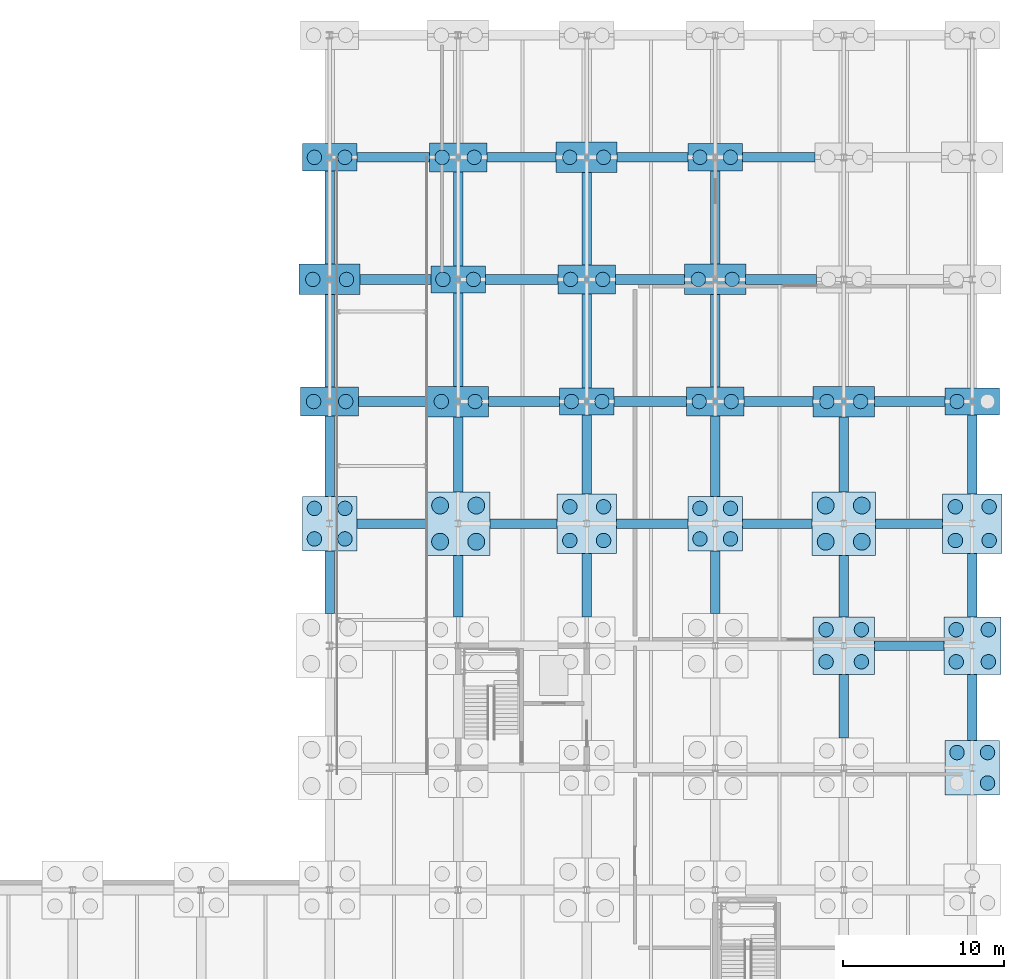
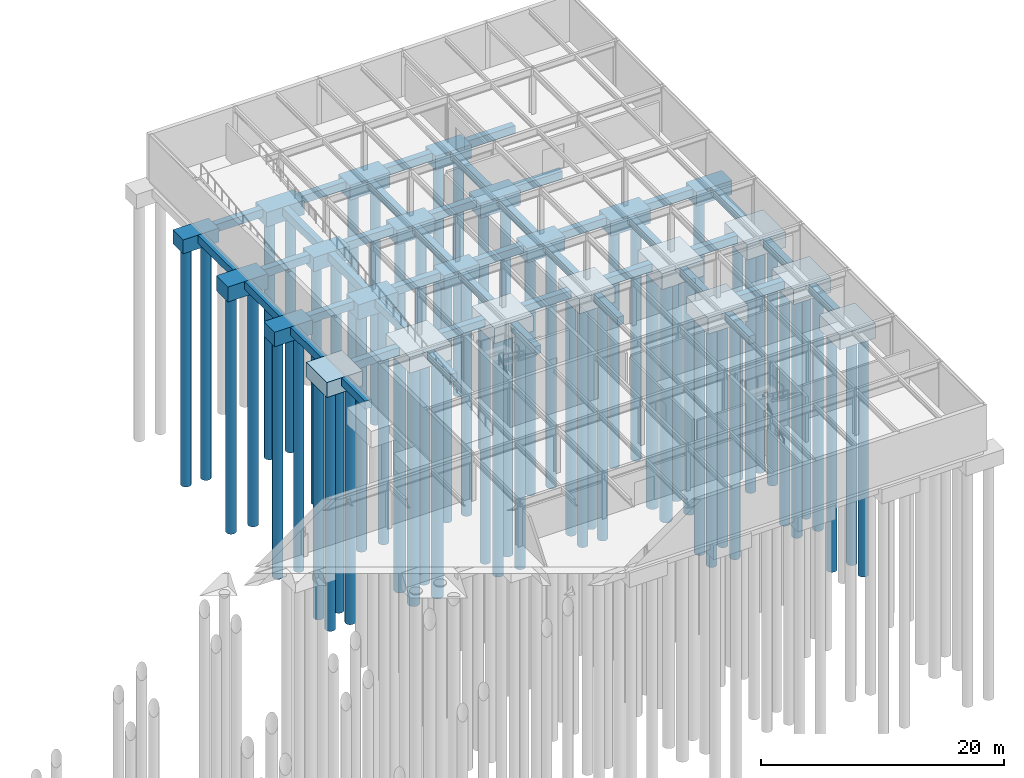
# One storey, part 3 of 21: 64 footings, 62 piles.
"""IFC4 building model written with IfcOpenShell, lengths in metres."""

import ifcopenshell
import ifcopenshell.guid

model = None  # the IFC model being written
_history = None  # IfcOwnerHistory: only IFC2X3 demands one
_inside = {}  # id of a spatial element -> (the spatial element, [elements in it])
_under = {}  # id of a project, library or spatial element -> (it, [spatial elements below it])
_declared = {}  # id of a project -> (the project, [libraries it declares])
_typed = {}  # id of a type object -> (the type object, [elements of that type])
_made_of = {}  # id of a material, layer set ... -> (it, [elements and type objects made of it])


def new_model(schema):
    """Start an empty IFC model of exactly this schema.

    Asked for "IFC4X3", IfcOpenShell would pick the latest addendum, in which some entities
    have other attributes; the version numbers below select the first issue.
    IFC2X3 requires an IfcOwnerHistory on every rooted entity: one is made here for all.
    """
    global model, _history
    if schema == "IFC4X3":
        model = ifcopenshell.file(schema_version=(4, 3, 0, 0))
    else:
        model = ifcopenshell.file(schema=schema)
    _inside.clear()
    _under.clear()
    _declared.clear()
    _typed.clear()
    _made_of.clear()
    _history = None
    if model.schema == "IFC2X3":
        org = make("IfcOrganization", Name="unknown")
        user = make(
            "IfcPersonAndOrganization",
            ThePerson=make("IfcPerson", FamilyName="unknown"),
            TheOrganization=org,
        )
        app = make(
            "IfcApplication",
            ApplicationDeveloper=org,
            Version="unknown",
            ApplicationFullName="unknown",
            ApplicationIdentifier="unknown",
        )
        _history = make(
            "IfcOwnerHistory",
            OwningUser=user,
            OwningApplication=app,
            ChangeAction="ADDED",
            CreationDate=0,
        )
    return model


def make(cls, **values):
    """One entity of the class cls with the attributes given. An attribute that is None is left unset."""
    return model.create_entity(
        cls, **{name: value for name, value in values.items() if value is not None}
    )


def rooted(cls, **values):
    """An entity with a GlobalId (a new one), such as an element, a storey or a relation."""
    return make(cls, GlobalId=ifcopenshell.guid.new(), OwnerHistory=_history, **values)


def si_unit(unit_type, name, prefix=None):
    """IfcSIUnit, for example si_unit("LENGTHUNIT", "METRE", prefix="MILLI")."""
    return make("IfcSIUnit", UnitType=unit_type, Prefix=prefix, Name=name)


def assignment(units):
    """IfcUnitAssignment: the units of a project."""
    return None if units is None else make("IfcUnitAssignment", Units=units)


def point(xyz):
    """IfcCartesianPoint."""
    return None if xyz is None else make("IfcCartesianPoint", Coordinates=xyz)


def direction(xyz):
    """IfcDirection."""
    return None if xyz is None else make("IfcDirection", DirectionRatios=xyz)


def frame(location, z_axis=None, x_axis=None):
    """IfcAxis2Placement3D, a coordinate frame: its origin and axes. An axis left out is left unset."""
    return make(
        "IfcAxis2Placement3D",
        Location=point(location),
        Axis=direction(z_axis),
        RefDirection=direction(x_axis),
    )


def frame_2d(location, x_axis=None):
    """IfcAxis2Placement2D, a coordinate frame in the plane: its origin and x axis."""
    return make(
        "IfcAxis2Placement2D", Location=point(location), RefDirection=direction(x_axis)
    )


def origin():
    """The frame at (0, 0, 0) with its axes left unset."""
    return frame((0.0, 0.0, 0.0))


def origin_2d():
    """The frame at (0, 0) in the plane with its x axis left unset."""
    return frame_2d((0.0, 0.0))


def place(relative_to, where):
    """IfcLocalPlacement: puts the frame where relative to a parent placement (None: the world)."""
    return make(
        "IfcLocalPlacement", PlacementRelTo=relative_to, RelativePlacement=where
    )


def context(
    kind, dimensions, precision=None, world=None, true_north=None, identifier=None
):
    """IfcGeometricRepresentationContext, for example the 3D "Model" context."""
    return make(
        "IfcGeometricRepresentationContext",
        ContextIdentifier=identifier,
        ContextType=kind,
        CoordinateSpaceDimension=dimensions,
        Precision=precision,
        WorldCoordinateSystem=world,
        TrueNorth=true_north,
    )


def subcontext(parent, identifier, kind, view, scale=None):
    """IfcGeometricRepresentationSubContext, for example "Body" below "Model"."""
    return make(
        "IfcGeometricRepresentationSubContext",
        ContextIdentifier=identifier,
        ContextType=kind,
        ParentContext=parent,
        TargetScale=scale,
        TargetView=view,
    )


def project(units=None, contexts=None):
    """IfcProject with its units and contexts."""
    return rooted(
        "IfcProject",
        Name="project",
        RepresentationContexts=contexts,
        UnitsInContext=assignment(units),
    )


def spatial(cls, under=None, at=None, **own):
    """A site, building, storey or space (cls), placed at a placement, below another one or the project."""
    s = rooted(cls, ObjectPlacement=at, **own)
    if under is not None:
        _under.setdefault(under.id(), (under, []))[1].append(s)
    return s


def profile(cls, at=None, kind="AREA", **sizes):
    """A parametric profile (cls). Its sizes go by their IFC names, for example OverallWidth=200.0."""
    return make(cls, ProfileType=kind, Position=at, **sizes)


def rectangle(**sizes):
    """IfcRectangleProfileDef."""
    return profile("IfcRectangleProfileDef", **sizes)


def circle(**sizes):
    """IfcCircleProfileDef."""
    return profile("IfcCircleProfileDef", **sizes)


def extrude(swept, where, along, depth):
    """IfcExtrudedAreaSolid: the profile swept, set in the frame where, extruded along a direction by depth."""
    return make(
        "IfcExtrudedAreaSolid",
        SweptArea=swept,
        Position=where,
        ExtrudedDirection=direction(along),
        Depth=depth,
    )


def shape(context_of_items, identifier, shape_type, items):
    """IfcShapeRepresentation: the items that make up one representation, for example the "Body"."""
    return make(
        "IfcShapeRepresentation",
        ContextOfItems=context_of_items,
        RepresentationIdentifier=identifier,
        RepresentationType=shape_type,
        Items=items,
    )


def material(Name=None, Category=None):
    """IfcMaterial."""
    return make("IfcMaterial", Name=Name, Category=Category)


def material_profile(
    of_material, cross_section, Name=None, Category=None, Priority=None
):
    """IfcMaterialProfile: a cross section and its material."""
    return make(
        "IfcMaterialProfile",
        Name=Name,
        Material=of_material,
        Profile=cross_section,
        Priority=Priority,
        Category=Category,
    )


def profile_set(profiles, Name=None, composite=None):
    """IfcMaterialProfileSet."""
    return make(
        "IfcMaterialProfileSet",
        Name=Name,
        MaterialProfiles=profiles,
        CompositeProfile=composite,
    )


def made_of(thing, what):
    """Note that an element or type object is made of a material, layer set ...; save() writes the relation."""
    if what is not None:
        _made_of.setdefault(what.id(), (what, []))[1].append(thing)
    return thing


def type_object(cls, material=None, **own):
    """A type object (cls), such as IfcWallType, which elements share."""
    return made_of(rooted(cls, **own), material)


def element(
    cls,
    number,
    at=None,
    inside=None,
    cuts=None,
    type_object=None,
    material=None,
    context=None,
    identifier="Body",
    shape_type=None,
    held_by="IfcProductDefinitionShape",
    body=None,
    shapes=None,
    **own,
):
    """One element of the class cls, such as IfcWall. Its Tag is "e" and its number.

    at: its placement. inside: the storey or other place that contains it. cuts: it is an
    opening in that element (IfcRelVoidsElement). A single representation is given by context,
    identifier, shape_type and body (its items); several are given by shapes. held_by: the class
    of the entity that holds the representations. save() writes the other relations.
    """
    e = rooted(cls, Tag="e%d" % number, ObjectPlacement=at, **own)
    if body is not None:
        shapes = [shape(context, identifier, shape_type, body)]
    if shapes is not None:
        e.Representation = make(held_by, Representations=shapes)
    if inside is not None:
        _inside.setdefault(inside.id(), (inside, []))[1].append(e)
    if cuts is not None:
        rooted(
            "IfcRelVoidsElement", RelatingBuildingElement=cuts, RelatedOpeningElement=e
        )
    if type_object is not None:
        _typed.setdefault(type_object.id(), (type_object, []))[1].append(e)
    return made_of(e, material)


def aggregate(whole, parts):
    """IfcRelAggregates: a whole, such as a stair, and the parts it consists of."""
    return rooted("IfcRelAggregates", RelatingObject=whole, RelatedObjects=parts)


def save(model, path):
    """Write the relations noted so far, then the file.

    IfcRelAggregates (storeys below a building ...), IfcRelContainedInSpatialStructure (elements
    in a storey), IfcRelDefinesByType, IfcRelAssociatesMaterial and IfcRelDeclares: one each for
    every whole, place, type object, material and project.
    """
    for whole, parts in _under.values():
        aggregate(whole, parts)
    for where, things in _inside.values():
        rooted(
            "IfcRelContainedInSpatialStructure",
            RelatedElements=things,
            RelatingStructure=where,
        )
    for kind, things in _typed.values():
        rooted("IfcRelDefinesByType", RelatedObjects=things, RelatingType=kind)
    for what, things in _made_of.values():
        rooted("IfcRelAssociatesMaterial", RelatedObjects=things, RelatingMaterial=what)
    for by, libraries in _declared.values():
        rooted("IfcRelDeclares", RelatingContext=by, RelatedDefinitions=libraries)
    model.write(path)


model = new_model("IFC4")

# Units and contexts
model_context = context("Model", 3, precision=1e-05, world=origin(), true_north=direction((0.0, 1.0)))
body_context = subcontext(model_context, "Body", "Model", "MODEL_VIEW")
ifc_project = project(units=[si_unit("LENGTHUNIT", "METRE"), si_unit("AREAUNIT", "SQUARE_METRE"), si_unit("VOLUMEUNIT", "CUBIC_METRE"), si_unit("PLANEANGLEUNIT", "RADIAN"), si_unit("MASSUNIT", "GRAM", prefix="KILO")], contexts=[model_context])

# Site, building, storey
site_placement = place(None, origin())
site = spatial("IfcSite", under=ifc_project, at=site_placement, CompositionType="ELEMENT")
building_placement = place(site_placement, origin())
building = spatial("IfcBuilding", under=site, at=building_placement, Name="Zulena Civic Courthouse", CompositionType="ELEMENT")
storey_placement = place(building_placement, frame((0.0, 0.0, -4.800048828125)))
storey = spatial("IfcBuildingStorey", under=building, at=storey_placement, Name="B01", CompositionType="ELEMENT", Elevation=-4.800048828125)

# Piles
ifc_material_1 = material(Name="Concrete C40/50", Category="concrete")
ifc_material_profile_1 = material_profile(ifc_material_1, circle(Radius=0.52490234375, at=origin_2d()), Name="PILE1050")
ifc_profile_set_1 = profile_set([ifc_material_profile_1], Name="Concrete C40/50")
pile_type_1 = type_object("IfcPileType", Name="BoredPile_1050", PredefinedType="BORED", material=ifc_profile_set_1)
for number, where, z_axis, x_axis, name in (
    (1, (74.875, 82.47509765625, -1.949951171875), (0.0, 0.0, -1.0), (1.0, 0.0, 0.0), "pile:B01:040:1"),
    (2, (77.125, 82.47509765625, -1.949951171875), (0.0, 0.0, -1.0), (1.0, 0.0, 0.0), "pile:B01:040:2"),
    (3, (74.875, 84.72509765625, -1.949951171875), (0.0, 0.0, -1.0), (1.0, 0.0, 0.0), "pile:B01:040:3"),
    (4, (77.125, 84.72509765625, -1.949951171875), (0.0, 0.0, -1.0), (1.0, 0.0, 0.0), "pile:B01:040:4"),
    (5, (98.875, 82.47509765625, -1.949951171875), (0.0, 0.0, -1.0), (1.0, 0.0, 0.0), "pile:B01:070:1"),
    (6, (101.125, 82.47509765625, -1.949951171875), (0.0, 0.0, -1.0), (1.0, 0.0, 0.0), "pile:B01:070:2"),
    (7, (98.875, 84.72509765625, -1.949951171875), (0.0, 0.0, -1.0), (1.0, 0.0, 0.0), "pile:B01:070:3"),
    (8, (101.125, 84.72509765625, -1.949951171875), (0.0, 0.0, -1.0), (1.0, 0.0, 0.0), "pile:B01:070:4"),
):
    element("IfcPile", number, at=place(storey_placement, frame(where, z_axis=z_axis, x_axis=x_axis)), inside=storey, type_object=pile_type_1, Name=name, PredefinedType="BORED", context=body_context, shape_type="SweptSolid", body=[
        extrude(circle(Radius=0.52490234375, at=origin_2d()), origin(), (0.0, 0.0, 1.0), 24.0),
    ])
ifc_material_profile_2 = material_profile(ifc_material_1, circle(Radius=0.449951171875, at=origin_2d()), Name="PILE900")
ifc_profile_set_2 = profile_set([ifc_material_profile_2], Name="Concrete C40/50")
pile_type_2 = type_object("IfcPileType", Name="BoredPile_900", PredefinedType="BORED", material=ifc_profile_set_2)
for number, where, z_axis, x_axis, name in (
    (9, (67.050048828125, 82.64990234375, -1.849853515625), (0.0, 0.0, -1.0), (1.0, 0.0, 0.0), "pile:B01:030:1"),
    (10, (68.949951171875, 82.64990234375, -1.849853515625), (0.0, 0.0, -1.0), (1.0, 0.0, 0.0), "pile:B01:030:2"),
    (11, (67.050048828125, 84.550048828125, -1.849853515625), (0.0, 0.0, -1.0), (1.0, 0.0, 0.0), "pile:B01:030:3"),
    (12, (68.949951171875, 84.550048828125, -1.849853515625), (0.0, 0.0, -1.0), (1.0, 0.0, 0.0), "pile:B01:030:4"),
    (13, (67.0, 91.199951171875, -1.800048828125), (0.0, 0.0, -1.0), (1.0, 0.0, 0.0), "pile:B01:031:1"),
    (14, (69.0, 91.199951171875, -1.800048828125), (0.0, 0.0, -1.0), (1.0, 0.0, 0.0), "pile:B01:031:2"),
    (15, (66.949951171875, 98.800048828125, -1.849853515625), (0.0, 0.0, -1.0), (1.0, 0.0, 0.0), "pile:B01:032:1"),
    (16, (69.050048828125, 98.800048828125, -1.849853515625), (0.0, 0.0, -1.0), (1.0, 0.0, 0.0), "pile:B01:032:2"),
    (17, (67.050048828125, 106.39990234375, -1.75), (0.0, 0.0, -1.0), (1.0, 0.0, 0.0), "pile:B01:033:1"),
    (18, (68.949951171875, 106.39990234375, -1.75), (0.0, 0.0, -1.0), (1.0, 0.0, 0.0), "pile:B01:033:2"),
    (19, (74.949951171875, 91.199951171875, -1.849853515625), (0.0, 0.0, -1.0), (1.0, 0.0, 0.0), "pile:B01:041:1"),
    (20, (77.050048828125, 91.199951171875, -1.849853515625), (0.0, 0.0, -1.0), (1.0, 0.0, 0.0), "pile:B01:041:2"),
    (21, (75.050048828125, 98.800048828125, -1.75), (0.0, 0.0, -1.0), (1.0, 0.0, 0.0), "pile:B01:042:1"),
    (22, (76.949951171875, 98.800048828125, -1.75), (0.0, 0.0, -1.0), (1.0, 0.0, 0.0), "pile:B01:042:2"),
    (23, (75.0, 106.39990234375, -1.800048828125), (0.0, 0.0, -1.0), (1.0, 0.0, 0.0), "pile:B01:043:1"),
    (24, (77.0, 106.39990234375, -1.800048828125), (0.0, 0.0, -1.0), (1.0, 0.0, 0.0), "pile:B01:043:2"),
    (25, (82.949951171875, 82.550048828125, -1.89990234375), (0.0, 0.0, -1.0), (1.0, 0.0, 0.0), "pile:B01:050:1"),
    (26, (85.050048828125, 82.550048828125, -1.89990234375), (0.0, 0.0, -1.0), (1.0, 0.0, 0.0), "pile:B01:050:2"),
    (27, (82.949951171875, 84.64990234375, -1.89990234375), (0.0, 0.0, -1.0), (1.0, 0.0, 0.0), "pile:B01:050:3"),
    (28, (85.050048828125, 84.64990234375, -1.89990234375), (0.0, 0.0, -1.0), (1.0, 0.0, 0.0), "pile:B01:050:4"),
    (29, (83.050048828125, 91.199951171875, -1.75), (0.0, 0.0, -1.0), (1.0, 0.0, 0.0), "pile:B01:051:1"),
    (30, (84.949951171875, 91.199951171875, -1.75), (0.0, 0.0, -1.0), (1.0, 0.0, 0.0), "pile:B01:051:2"),
    (31, (83.0, 98.800048828125, -1.800048828125), (0.0, 0.0, -1.0), (1.0, 0.0, 0.0), "pile:B01:052:1"),
    (32, (85.0, 98.800048828125, -1.800048828125), (0.0, 0.0, -1.0), (1.0, 0.0, 0.0), "pile:B01:052:2"),
    (33, (82.949951171875, 106.39990234375, -1.849853515625), (0.0, 0.0, -1.0), (1.0, 0.0, 0.0), "pile:B01:053:1"),
    (34, (85.050048828125, 106.39990234375, -1.849853515625), (0.0, 0.0, -1.0), (1.0, 0.0, 0.0), "pile:B01:053:2"),
    (35, (91.050048828125, 82.64990234375, -1.849853515625), (0.0, 0.0, -1.0), (1.0, 0.0, 0.0), "pile:B01:060:1"),
    (36, (92.949951171875, 82.64990234375, -1.849853515625), (0.0, 0.0, -1.0), (1.0, 0.0, 0.0), "pile:B01:060:2"),
    (37, (91.050048828125, 84.550048828125, -1.849853515625), (0.0, 0.0, -1.0), (1.0, 0.0, 0.0), "pile:B01:060:3"),
    (38, (92.949951171875, 84.550048828125, -1.849853515625), (0.0, 0.0, -1.0), (1.0, 0.0, 0.0), "pile:B01:060:4"),
    (39, (91.0, 91.199951171875, -1.800048828125), (0.0, 0.0, -1.0), (1.0, 0.0, 0.0), "pile:B01:061:1"),
    (40, (93.0, 91.199951171875, -1.800048828125), (0.0, 0.0, -1.0), (1.0, 0.0, 0.0), "pile:B01:061:2"),
    (41, (90.949951171875, 98.800048828125, -1.849853515625), (0.0, 0.0, -1.0), (1.0, 0.0, 0.0), "pile:B01:062:1"),
    (42, (93.050048828125, 98.800048828125, -1.849853515625), (0.0, 0.0, -1.0), (1.0, 0.0, 0.0), "pile:B01:062:2"),
    (43, (91.050048828125, 106.39990234375, -1.75), (0.0, 0.0, -1.0), (1.0, 0.0, 0.0), "pile:B01:063:1"),
    (44, (92.949951171875, 106.39990234375, -1.75), (0.0, 0.0, -1.0), (1.0, 0.0, 0.0), "pile:B01:063:2"),
    (45, (98.89990234375, 75.0, -1.949951171875), (0.0, 0.0, -1.0), (1.0, 0.0, 0.0), "pile:B01:069:1"),
    (46, (101.10009765625, 75.0, -1.949951171875), (0.0, 0.0, -1.0), (1.0, 0.0, 0.0), "pile:B01:069:2"),
    (47, (98.89990234375, 77.0, -1.949951171875), (0.0, 0.0, -1.0), (1.0, 0.0, 0.0), "pile:B01:069:3"),
    (48, (101.10009765625, 77.0, -1.949951171875), (0.0, 0.0, -1.0), (1.0, 0.0, 0.0), "pile:B01:069:4"),
    (49, (98.949951171875, 91.199951171875, -1.849853515625), (0.0, 0.0, -1.0), (1.0, 0.0, 0.0), "pile:B01:071:1"),
    (50, (101.050048828125, 91.199951171875, -1.849853515625), (0.0, 0.0, -1.0), (1.0, 0.0, 0.0), "pile:B01:071:2"),
    (51, (108.949951171875, 67.449951171875, -1.849853515625), (0.0, 0.0, -1.0), (1.0, 0.0, 0.0), "pile:B01:078:2"),
    (52, (107.050048828125, 69.35009765625, -1.849853515625), (0.0, 0.0, -1.0), (1.0, 0.0, 0.0), "pile:B01:078:3"),
    (53, (108.949951171875, 69.35009765625, -1.849853515625), (0.0, 0.0, -1.0), (1.0, 0.0, 0.0), "pile:B01:078:4"),
    (54, (107.0, 75.0, -1.849853515625), (0.0, 0.0, -1.0), (1.0, 0.0, 0.0), "pile:B01:079:1"),
    (55, (109.0, 75.0, -1.849853515625), (0.0, 0.0, -1.0), (1.0, 0.0, 0.0), "pile:B01:079:2"),
    (56, (107.0, 77.0, -1.849853515625), (0.0, 0.0, -1.0), (1.0, 0.0, 0.0), "pile:B01:079:3"),
    (57, (109.0, 77.0, -1.849853515625), (0.0, 0.0, -1.0), (1.0, 0.0, 0.0), "pile:B01:079:4"),
    (58, (106.949951171875, 82.550048828125, -1.89990234375), (0.0, 0.0, -1.0), (1.0, 0.0, 0.0), "pile:B01:080:1"),
    (59, (109.050048828125, 82.550048828125, -1.89990234375), (0.0, 0.0, -1.0), (1.0, 0.0, 0.0), "pile:B01:080:2"),
    (60, (106.949951171875, 84.64990234375, -1.89990234375), (0.0, 0.0, -1.0), (1.0, 0.0, 0.0), "pile:B01:080:3"),
    (61, (109.050048828125, 84.64990234375, -1.89990234375), (0.0, 0.0, -1.0), (1.0, 0.0, 0.0), "pile:B01:080:4"),
    (62, (107.050048828125, 91.199951171875, -1.75), (0.0, 0.0, -1.0), (1.0, 0.0, 0.0), "pile:B01:081:1"),
):
    element("IfcPile", number, at=place(storey_placement, frame(where, z_axis=z_axis, x_axis=x_axis)), inside=storey, type_object=pile_type_2, Name=name, PredefinedType="BORED", context=body_context, shape_type="SweptSolid", body=[
        extrude(circle(Radius=0.449951171875, at=origin_2d()), origin(), (0.0, 0.0, 1.0), 24.0),
    ])

# Footings
ifc_material_2 = material(Name="Concrete C35/45", Category="concrete")
ifc_material_profile_3 = material_profile(ifc_material_2, rectangle(XDim=0.60009765625, YDim=0.800048828125, at=origin_2d()), Name="RC600X800")
ifc_profile_set_3 = profile_set([ifc_material_profile_3], Name="Concrete C35/45")
footing_type_1 = type_object("IfcFootingType", Name="GroundBeam_600x800", PredefinedType="FOOTING_BEAM", material=ifc_profile_set_3)
footing_1_placement = place(storey_placement, frame((101.89990234375, 76.0, -0.849853515625), z_axis=(1.0, 0.0, 0.0), x_axis=(0.0, 1.0, 0.0)))
element("IfcFooting", 63, at=footing_1_placement, inside=storey, type_object=footing_type_1, Name="gbeam:X:B01:049", PredefinedType="FOOTING_BEAM", context=body_context, shape_type="SweptSolid", body=[
    extrude(rectangle(XDim=0.60009765625, YDim=0.800048828125, at=origin_2d()), origin(), (0.0, 0.0, 1.0), 4.3251953125),
])
footing_2_placement = place(storey_placement, frame((69.699951171875, 83.60009765625, -0.849853515625), z_axis=(1.0, 0.0, 0.0), x_axis=(0.0, 1.0, 0.0)))
element("IfcFooting", 64, at=footing_2_placement, inside=storey, type_object=footing_type_1, Name="gbeam:X:B01:050", PredefinedType="FOOTING_BEAM", context=body_context, shape_type="SweptSolid", body=[
    extrude(rectangle(XDim=0.60009765625, YDim=0.800048828125, at=origin_2d()), origin(), (0.0, 0.0, 1.0), 4.324951171875),
])
footing_3_placement = place(storey_placement, frame((77.97509765625, 83.60009765625, -0.849853515625), z_axis=(1.0, 0.0, 0.0), x_axis=(0.0, 1.0, 0.0)))
element("IfcFooting", 65, at=footing_3_placement, inside=storey, type_object=footing_type_1, Name="gbeam:X:B01:051", PredefinedType="FOOTING_BEAM", context=body_context, shape_type="SweptSolid", body=[
    extrude(rectangle(XDim=0.60009765625, YDim=0.800048828125, at=origin_2d()), origin(), (0.0, 0.0, 1.0), 4.1748046875),
])
footing_4_placement = place(storey_placement, frame((85.85009765625, 83.60009765625, -0.849853515625), z_axis=(1.0, 0.0, 0.0), x_axis=(0.0, 1.0, 0.0)))
element("IfcFooting", 66, at=footing_4_placement, inside=storey, type_object=footing_type_1, Name="gbeam:X:B01:052", PredefinedType="FOOTING_BEAM", context=body_context, shape_type="SweptSolid", body=[
    extrude(rectangle(XDim=0.60009765625, YDim=0.800048828125, at=origin_2d()), origin(), (0.0, 0.0, 1.0), 4.449951171875),
])
footing_5_placement = place(storey_placement, frame((93.699951171875, 83.60009765625, -0.849853515625), z_axis=(1.0, 0.0, 0.0), x_axis=(0.0, 1.0, 0.0)))
element("IfcFooting", 67, at=footing_5_placement, inside=storey, type_object=footing_type_1, Name="gbeam:X:B01:053", PredefinedType="FOOTING_BEAM", context=body_context, shape_type="SweptSolid", body=[
    extrude(rectangle(XDim=0.60009765625, YDim=0.800048828125, at=origin_2d()), origin(), (0.0, 0.0, 1.0), 4.324951171875),
])
footing_6_placement = place(storey_placement, frame((101.97509765625, 83.60009765625, -0.849853515625), z_axis=(1.0, 0.0, 0.0), x_axis=(0.0, 1.0, 0.0)))
element("IfcFooting", 68, at=footing_6_placement, inside=storey, type_object=footing_type_1, Name="gbeam:X:B01:054", PredefinedType="FOOTING_BEAM", context=body_context, shape_type="SweptSolid", body=[
    extrude(rectangle(XDim=0.60009765625, YDim=0.800048828125, at=origin_2d()), origin(), (0.0, 0.0, 1.0), 4.1748046875),
])
footing_7_placement = place(storey_placement, frame((69.800048828125, 91.199951171875, -0.849853515625), z_axis=(1.0, 0.0, 0.0), x_axis=(0.0, 1.0, 0.0)))
element("IfcFooting", 69, at=footing_7_placement, inside=storey, type_object=footing_type_1, Name="gbeam:X:B01:055", PredefinedType="FOOTING_BEAM", context=body_context, shape_type="SweptSolid", body=[
    extrude(rectangle(XDim=0.60009765625, YDim=0.800048828125, at=origin_2d()), origin(), (0.0, 0.0, 1.0), 4.300048828125),
])
footing_8_placement = place(storey_placement, frame((77.89990234375, 91.199951171875, -0.849853515625), z_axis=(1.0, 0.0, 0.0), x_axis=(0.0, 1.0, 0.0)))
element("IfcFooting", 70, at=footing_8_placement, inside=storey, type_object=footing_type_1, Name="gbeam:X:B01:056", PredefinedType="FOOTING_BEAM", context=body_context, shape_type="SweptSolid", body=[
    extrude(rectangle(XDim=0.60009765625, YDim=0.800048828125, at=origin_2d()), origin(), (0.0, 0.0, 1.0), 4.400146484375),
])
footing_9_placement = place(storey_placement, frame((85.699951171875, 91.199951171875, -0.849853515625), z_axis=(1.0, 0.0, 0.0), x_axis=(0.0, 1.0, 0.0)))
element("IfcFooting", 71, at=footing_9_placement, inside=storey, type_object=footing_type_1, Name="gbeam:X:B01:057", PredefinedType="FOOTING_BEAM", context=body_context, shape_type="SweptSolid", body=[
    extrude(rectangle(XDim=0.60009765625, YDim=0.800048828125, at=origin_2d()), origin(), (0.0, 0.0, 1.0), 4.5),
])
footing_10_placement = place(storey_placement, frame((93.800048828125, 91.199951171875, -0.849853515625), z_axis=(1.0, 0.0, 0.0), x_axis=(0.0, 1.0, 0.0)))
element("IfcFooting", 72, at=footing_10_placement, inside=storey, type_object=footing_type_1, Name="gbeam:X:B01:058", PredefinedType="FOOTING_BEAM", context=body_context, shape_type="SweptSolid", body=[
    extrude(rectangle(XDim=0.60009765625, YDim=0.800048828125, at=origin_2d()), origin(), (0.0, 0.0, 1.0), 4.300048828125),
])
for number, where, z_axis, x_axis, name in (
    (73, (101.89990234375, 91.199951171875, -0.849853515625), (1.0, 0.0, 0.0), (0.0, 1.0, 0.0), "gbeam:X:B01:059"),
    (74, (69.89990234375, 98.800048828125, -0.849853515625), (1.0, 0.0, 0.0), (0.0, 1.0, 0.0), "gbeam:X:B01:060"),
):
    element("IfcFooting", number, at=place(storey_placement, frame(where, z_axis=z_axis, x_axis=x_axis)), inside=storey, type_object=footing_type_1, Name=name, PredefinedType="FOOTING_BEAM", context=body_context, shape_type="SweptSolid", body=[
        extrude(rectangle(XDim=0.60009765625, YDim=0.800048828125, at=origin_2d()), origin(), (0.0, 0.0, 1.0), 4.400146484375),
    ])
footing_11_placement = place(storey_placement, frame((77.699951171875, 98.800048828125, -0.849853515625), z_axis=(1.0, 0.0, 0.0), x_axis=(0.0, 1.0, 0.0)))
element("IfcFooting", 75, at=footing_11_placement, inside=storey, type_object=footing_type_1, Name="gbeam:X:B01:061", PredefinedType="FOOTING_BEAM", context=body_context, shape_type="SweptSolid", body=[
    extrude(rectangle(XDim=0.60009765625, YDim=0.800048828125, at=origin_2d()), origin(), (0.0, 0.0, 1.0), 4.5),
])
footing_12_placement = place(storey_placement, frame((85.800048828125, 98.800048828125, -0.849853515625), z_axis=(1.0, 0.0, 0.0), x_axis=(0.0, 1.0, 0.0)))
element("IfcFooting", 76, at=footing_12_placement, inside=storey, type_object=footing_type_1, Name="gbeam:X:B01:062", PredefinedType="FOOTING_BEAM", context=body_context, shape_type="SweptSolid", body=[
    extrude(rectangle(XDim=0.60009765625, YDim=0.800048828125, at=origin_2d()), origin(), (0.0, 0.0, 1.0), 4.300048828125),
])
footing_13_placement = place(storey_placement, frame((93.89990234375, 98.800048828125, -0.849853515625), z_axis=(1.0, 0.0, 0.0), x_axis=(0.0, 1.0, 0.0)))
element("IfcFooting", 77, at=footing_13_placement, inside=storey, type_object=footing_type_1, Name="gbeam:X:B01:063", PredefinedType="FOOTING_BEAM", context=body_context, shape_type="SweptSolid", body=[
    extrude(rectangle(XDim=0.60009765625, YDim=0.800048828125, at=origin_2d()), origin(), (0.0, 0.0, 1.0), 4.400146484375),
])
footing_14_placement = place(storey_placement, frame((69.699951171875, 106.39990234375, -0.849853515625), z_axis=(1.0, 0.0, 0.0), x_axis=(0.0, 1.0, 0.0)))
element("IfcFooting", 78, at=footing_14_placement, inside=storey, type_object=footing_type_1, Name="gbeam:X:B01:065", PredefinedType="FOOTING_BEAM", context=body_context, shape_type="SweptSolid", body=[
    extrude(rectangle(XDim=0.60009765625, YDim=0.800048828125, at=origin_2d()), origin(), (0.0, 0.0, 1.0), 4.5),
])
footing_15_placement = place(storey_placement, frame((77.800048828125, 106.39990234375, -0.849853515625), z_axis=(1.0, 0.0, 0.0), x_axis=(0.0, 1.0, 0.0)))
element("IfcFooting", 79, at=footing_15_placement, inside=storey, type_object=footing_type_1, Name="gbeam:X:B01:066", PredefinedType="FOOTING_BEAM", context=body_context, shape_type="SweptSolid", body=[
    extrude(rectangle(XDim=0.60009765625, YDim=0.800048828125, at=origin_2d()), origin(), (0.0, 0.0, 1.0), 4.300048828125),
])
footing_16_placement = place(storey_placement, frame((85.89990234375, 106.39990234375, -0.849853515625), z_axis=(1.0, 0.0, 0.0), x_axis=(0.0, 1.0, 0.0)))
element("IfcFooting", 80, at=footing_16_placement, inside=storey, type_object=footing_type_1, Name="gbeam:X:B01:067", PredefinedType="FOOTING_BEAM", context=body_context, shape_type="SweptSolid", body=[
    extrude(rectangle(XDim=0.60009765625, YDim=0.800048828125, at=origin_2d()), origin(), (0.0, 0.0, 1.0), 4.400146484375),
])
footing_17_placement = place(storey_placement, frame((93.699951171875, 106.39990234375, -0.849853515625), z_axis=(1.0, 0.0, 0.0), x_axis=(0.0, 1.0, 0.0)))
element("IfcFooting", 81, at=footing_17_placement, inside=storey, type_object=footing_type_1, Name="gbeam:X:B01:068", PredefinedType="FOOTING_BEAM", context=body_context, shape_type="SweptSolid", body=[
    extrude(rectangle(XDim=0.60009765625, YDim=0.800048828125, at=origin_2d()), origin(), (0.0, 0.0, 1.0), 4.5),
])
footing_18_placement = place(storey_placement, frame((68.0, 78.0, -0.849853515625), z_axis=(0.0, 1.0, 0.0), x_axis=(-1.0, 0.0, 0.0)))
element("IfcFooting", 82, at=footing_18_placement, inside=storey, type_object=footing_type_1, Name="gbeam:Y:B01:095", PredefinedType="FOOTING_BEAM", context=body_context, shape_type="SweptSolid", body=[
    extrude(rectangle(XDim=0.60009765625, YDim=0.800048828125, at=origin_2d()), origin(), (0.0, 0.0, 1.0), 3.89990234375),
])
footing_19_placement = place(storey_placement, frame((68.0, 85.300048828125, -0.849853515625), z_axis=(0.0, 1.0, 0.0), x_axis=(-1.0, 0.0, 0.0)))
element("IfcFooting", 83, at=footing_19_placement, inside=storey, type_object=footing_type_1, Name="gbeam:Y:B01:096", PredefinedType="FOOTING_BEAM", context=body_context, shape_type="SweptSolid", body=[
    extrude(rectangle(XDim=0.60009765625, YDim=0.800048828125, at=origin_2d()), origin(), (0.0, 0.0, 1.0), 5.0),
])
footing_20_placement = place(storey_placement, frame((68.0, 92.10009765625, -0.849853515625), z_axis=(0.0, 1.0, 0.0), x_axis=(-1.0, 0.0, 0.0)))
element("IfcFooting", 84, at=footing_20_placement, inside=storey, type_object=footing_type_1, Name="gbeam:Y:B01:097", PredefinedType="FOOTING_BEAM", context=body_context, shape_type="SweptSolid", body=[
    extrude(rectangle(XDim=0.60009765625, YDim=0.800048828125, at=origin_2d()), origin(), (0.0, 0.0, 1.0), 5.75),
])
footing_21_placement = place(storey_placement, frame((68.0, 99.75, -0.849853515625), z_axis=(0.0, 1.0, 0.0), x_axis=(-1.0, 0.0, 0.0)))
element("IfcFooting", 85, at=footing_21_placement, inside=storey, type_object=footing_type_1, Name="gbeam:Y:B01:098", PredefinedType="FOOTING_BEAM", context=body_context, shape_type="SweptSolid", body=[
    extrude(rectangle(XDim=0.60009765625, YDim=0.800048828125, at=origin_2d()), origin(), (0.0, 0.0, 1.0), 5.800048828125),
])
footing_22_placement = place(storey_placement, frame((76.0, 77.800048828125, -0.849853515625), z_axis=(0.0, 1.0, 0.0), x_axis=(-1.0, 0.0, 0.0)))
element("IfcFooting", 86, at=footing_22_placement, inside=storey, type_object=footing_type_1, Name="gbeam:Y:B01:104", PredefinedType="FOOTING_BEAM", context=body_context, shape_type="SweptSolid", body=[
    extrude(rectangle(XDim=0.60009765625, YDim=0.800048828125, at=origin_2d()), origin(), (0.0, 0.0, 1.0), 3.824951171875),
])
footing_23_placement = place(storey_placement, frame((76.0, 85.574951171875, -0.849853515625), z_axis=(0.0, 1.0, 0.0), x_axis=(-1.0, 0.0, 0.0)))
element("IfcFooting", 87, at=footing_23_placement, inside=storey, type_object=footing_type_1, Name="gbeam:Y:B01:105", PredefinedType="FOOTING_BEAM", context=body_context, shape_type="SweptSolid", body=[
    extrude(rectangle(XDim=0.60009765625, YDim=0.800048828125, at=origin_2d()), origin(), (0.0, 0.0, 1.0), 4.675048828125),
])
footing_24_placement = place(storey_placement, frame((76.0, 92.14990234375, -0.849853515625), z_axis=(0.0, 1.0, 0.0), x_axis=(-1.0, 0.0, 0.0)))
element("IfcFooting", 88, at=footing_24_placement, inside=storey, type_object=footing_type_1, Name="gbeam:Y:B01:106", PredefinedType="FOOTING_BEAM", context=body_context, shape_type="SweptSolid", body=[
    extrude(rectangle(XDim=0.60009765625, YDim=0.800048828125, at=origin_2d()), origin(), (0.0, 0.0, 1.0), 5.800048828125),
])
footing_25_placement = place(storey_placement, frame((76.0, 99.64990234375, -0.849853515625), z_axis=(0.0, 1.0, 0.0), x_axis=(-1.0, 0.0, 0.0)))
element("IfcFooting", 89, at=footing_25_placement, inside=storey, type_object=footing_type_1, Name="gbeam:Y:B01:107", PredefinedType="FOOTING_BEAM", context=body_context, shape_type="SweptSolid", body=[
    extrude(rectangle(XDim=0.60009765625, YDim=0.800048828125, at=origin_2d()), origin(), (0.0, 0.0, 1.0), 5.85009765625),
])
footing_26_placement = place(storey_placement, frame((84.0, 77.77490234375, -0.849853515625), z_axis=(0.0, 1.0, 0.0), x_axis=(-1.0, 0.0, 0.0)))
element("IfcFooting", 90, at=footing_26_placement, inside=storey, type_object=footing_type_1, Name="gbeam:Y:B01:113", PredefinedType="FOOTING_BEAM", context=body_context, shape_type="SweptSolid", body=[
    extrude(rectangle(XDim=0.60009765625, YDim=0.800048828125, at=origin_2d()), origin(), (0.0, 0.0, 1.0), 3.97509765625),
])
footing_27_placement = place(storey_placement, frame((84.0, 85.449951171875, -0.849853515625), z_axis=(0.0, 1.0, 0.0), x_axis=(-1.0, 0.0, 0.0)))
element("IfcFooting", 91, at=footing_27_placement, inside=storey, type_object=footing_type_1, Name="gbeam:Y:B01:114", PredefinedType="FOOTING_BEAM", context=body_context, shape_type="SweptSolid", body=[
    extrude(rectangle(XDim=0.60009765625, YDim=0.800048828125, at=origin_2d()), origin(), (0.0, 0.0, 1.0), 4.900146484375),
])
footing_28_placement = place(storey_placement, frame((84.0, 92.050048828125, -0.849853515625), z_axis=(0.0, 1.0, 0.0), x_axis=(-1.0, 0.0, 0.0)))
element("IfcFooting", 92, at=footing_28_placement, inside=storey, type_object=footing_type_1, Name="gbeam:Y:B01:115", PredefinedType="FOOTING_BEAM", context=body_context, shape_type="SweptSolid", body=[
    extrude(rectangle(XDim=0.60009765625, YDim=0.800048828125, at=origin_2d()), origin(), (0.0, 0.0, 1.0), 5.849853515625),
])
footing_29_placement = place(storey_placement, frame((84.0, 99.699951171875, -0.849853515625), z_axis=(0.0, 1.0, 0.0), x_axis=(-1.0, 0.0, 0.0)))
element("IfcFooting", 93, at=footing_29_placement, inside=storey, type_object=footing_type_1, Name="gbeam:Y:B01:116", PredefinedType="FOOTING_BEAM", context=body_context, shape_type="SweptSolid", body=[
    extrude(rectangle(XDim=0.60009765625, YDim=0.800048828125, at=origin_2d()), origin(), (0.0, 0.0, 1.0), 5.75),
])
footing_30_placement = place(storey_placement, frame((92.0, 78.0, -0.849853515625), z_axis=(0.0, 1.0, 0.0), x_axis=(-1.0, 0.0, 0.0)))
element("IfcFooting", 94, at=footing_30_placement, inside=storey, type_object=footing_type_1, Name="gbeam:Y:B01:122", PredefinedType="FOOTING_BEAM", context=body_context, shape_type="SweptSolid", body=[
    extrude(rectangle(XDim=0.60009765625, YDim=0.800048828125, at=origin_2d()), origin(), (0.0, 0.0, 1.0), 3.89990234375),
])
footing_31_placement = place(storey_placement, frame((92.0, 85.300048828125, -0.849853515625), z_axis=(0.0, 1.0, 0.0), x_axis=(-1.0, 0.0, 0.0)))
element("IfcFooting", 95, at=footing_31_placement, inside=storey, type_object=footing_type_1, Name="gbeam:Y:B01:123", PredefinedType="FOOTING_BEAM", context=body_context, shape_type="SweptSolid", body=[
    extrude(rectangle(XDim=0.60009765625, YDim=0.800048828125, at=origin_2d()), origin(), (0.0, 0.0, 1.0), 5.0),
])
footing_32_placement = place(storey_placement, frame((92.0, 92.10009765625, -0.849853515625), z_axis=(0.0, 1.0, 0.0), x_axis=(-1.0, 0.0, 0.0)))
element("IfcFooting", 96, at=footing_32_placement, inside=storey, type_object=footing_type_1, Name="gbeam:Y:B01:124", PredefinedType="FOOTING_BEAM", context=body_context, shape_type="SweptSolid", body=[
    extrude(rectangle(XDim=0.60009765625, YDim=0.800048828125, at=origin_2d()), origin(), (0.0, 0.0, 1.0), 5.75),
])
footing_33_placement = place(storey_placement, frame((92.0, 99.75, -0.849853515625), z_axis=(0.0, 1.0, 0.0), x_axis=(-1.0, 0.0, 0.0)))
element("IfcFooting", 97, at=footing_33_placement, inside=storey, type_object=footing_type_1, Name="gbeam:Y:B01:125", PredefinedType="FOOTING_BEAM", context=body_context, shape_type="SweptSolid", body=[
    extrude(rectangle(XDim=0.60009765625, YDim=0.800048828125, at=origin_2d()), origin(), (0.0, 0.0, 1.0), 5.800048828125),
])
footing_34_placement = place(storey_placement, frame((100.0, 70.25, -0.849853515625), z_axis=(0.0, 1.0, 0.0), x_axis=(-1.0, 0.0, 0.0)))
element("IfcFooting", 98, at=footing_34_placement, inside=storey, type_object=footing_type_1, Name="gbeam:Y:B01:130", PredefinedType="FOOTING_BEAM", context=body_context, shape_type="SweptSolid", body=[
    extrude(rectangle(XDim=0.60009765625, YDim=0.800048828125, at=origin_2d()), origin(), (0.0, 0.0, 1.0), 3.949951171875),
])
footing_35_placement = place(storey_placement, frame((100.0, 77.800048828125, -0.849853515625), z_axis=(0.0, 1.0, 0.0), x_axis=(-1.0, 0.0, 0.0)))
element("IfcFooting", 99, at=footing_35_placement, inside=storey, type_object=footing_type_1, Name="gbeam:Y:B01:131", PredefinedType="FOOTING_BEAM", context=body_context, shape_type="SweptSolid", body=[
    extrude(rectangle(XDim=0.60009765625, YDim=0.800048828125, at=origin_2d()), origin(), (0.0, 0.0, 1.0), 3.824951171875),
])
footing_36_placement = place(storey_placement, frame((100.0, 85.574951171875, -0.849853515625), z_axis=(0.0, 1.0, 0.0), x_axis=(-1.0, 0.0, 0.0)))
element("IfcFooting", 100, at=footing_36_placement, inside=storey, type_object=footing_type_1, Name="gbeam:Y:B01:132", PredefinedType="FOOTING_BEAM", context=body_context, shape_type="SweptSolid", body=[
    extrude(rectangle(XDim=0.60009765625, YDim=0.800048828125, at=origin_2d()), origin(), (0.0, 0.0, 1.0), 4.675048828125),
])
footing_37_placement = place(storey_placement, frame((108.0, 70.10009765625, -0.849853515625), z_axis=(0.0, 1.0, 0.0), x_axis=(-1.0, 0.0, 0.0)))
element("IfcFooting", 101, at=footing_37_placement, inside=storey, type_object=footing_type_1, Name="gbeam:Y:B01:139", PredefinedType="FOOTING_BEAM", context=body_context, shape_type="SweptSolid", body=[
    extrude(rectangle(XDim=0.60009765625, YDim=0.800048828125, at=origin_2d()), origin(), (0.0, 0.0, 1.0), 4.125),
])
footing_38_placement = place(storey_placement, frame((108.0, 77.77490234375, -0.849853515625), z_axis=(0.0, 1.0, 0.0), x_axis=(-1.0, 0.0, 0.0)))
element("IfcFooting", 102, at=footing_38_placement, inside=storey, type_object=footing_type_1, Name="gbeam:Y:B01:140", PredefinedType="FOOTING_BEAM", context=body_context, shape_type="SweptSolid", body=[
    extrude(rectangle(XDim=0.60009765625, YDim=0.800048828125, at=origin_2d()), origin(), (0.0, 0.0, 1.0), 3.97509765625),
])
footing_39_placement = place(storey_placement, frame((108.0, 85.449951171875, -0.849853515625), z_axis=(0.0, 1.0, 0.0), x_axis=(-1.0, 0.0, 0.0)))
element("IfcFooting", 103, at=footing_39_placement, inside=storey, type_object=footing_type_1, Name="gbeam:Y:B01:141", PredefinedType="FOOTING_BEAM", context=body_context, shape_type="SweptSolid", body=[
    extrude(rectangle(XDim=0.60009765625, YDim=0.800048828125, at=origin_2d()), origin(), (0.0, 0.0, 1.0), 4.900146484375),
])
footing_type_2 = type_object("IfcFootingType", Name="PileCap_2P_3400x1700", PredefinedType="PILE_CAP", material=ifc_material_1)
for number, where, z_axis, x_axis, name in (
    (104, (68.0, 106.39990234375, -1.849853515625), (0.0, 0.0, 1.0), (1.0, 0.0, 0.0), "cap:B01:033"),
    (105, (76.0, 98.800048828125, -1.849853515625), (0.0, 0.0, 1.0), (1.0, 0.0, 0.0), "cap:B01:042"),
    (106, (84.0, 91.199951171875, -1.849853515625), (0.0, 0.0, 1.0), (1.0, 0.0, 0.0), "cap:B01:051"),
    (107, (92.0, 106.39990234375, -1.849853515625), (0.0, 0.0, 1.0), (1.0, 0.0, 0.0), "cap:B01:063"),
    (108, (108.0, 91.199951171875, -1.849853515625), (0.0, 0.0, 1.0), (1.0, 0.0, 0.0), "cap:B01:081"),
):
    element("IfcFooting", number, at=place(storey_placement, frame(where, z_axis=z_axis, x_axis=x_axis)), inside=storey, type_object=footing_type_2, Name=name, PredefinedType="PILE_CAP", context=body_context, shape_type="SweptSolid", body=[
        extrude(rectangle(XDim=3.39990234375, YDim=1.699951171875, at=origin_2d()), origin(), (0.0, 0.0, 1.0), 1.39990234375),
    ])
footing_type_3 = type_object("IfcFootingType", Name="PileCap_2P_3600x1800", PredefinedType="PILE_CAP", material=ifc_material_1)
for number, where, z_axis, x_axis, name in (
    (109, (68.0, 91.199951171875, -1.89990234375), (0.0, 0.0, 1.0), (1.0, 0.0, 0.0), "cap:B01:031"),
    (110, (76.0, 106.39990234375, -1.89990234375), (0.0, 0.0, 1.0), (1.0, 0.0, 0.0), "cap:B01:043"),
    (111, (84.0, 98.800048828125, -1.89990234375), (0.0, 0.0, 1.0), (1.0, 0.0, 0.0), "cap:B01:052"),
    (112, (92.0, 91.199951171875, -1.89990234375), (0.0, 0.0, 1.0), (1.0, 0.0, 0.0), "cap:B01:061"),
):
    element("IfcFooting", number, at=place(storey_placement, frame(where, z_axis=z_axis, x_axis=x_axis)), inside=storey, type_object=footing_type_3, Name=name, PredefinedType="PILE_CAP", context=body_context, shape_type="SweptSolid", body=[
        extrude(rectangle(XDim=3.60009765625, YDim=1.800048828125, at=origin_2d()), origin(), (0.0, 0.0, 1.0), 1.449951171875),
    ])
footing_type_4 = type_object("IfcFootingType", Name="PileCap_2P_3800x1900", PredefinedType="PILE_CAP", material=ifc_material_1)
for number, where, z_axis, x_axis, name in (
    (113, (68.0, 98.800048828125, -1.949951171875), (0.0, 0.0, 1.0), (1.0, 0.0, 0.0), "cap:B01:032"),
    (114, (76.0, 91.199951171875, -1.949951171875), (0.0, 0.0, 1.0), (1.0, 0.0, 0.0), "cap:B01:041"),
    (115, (84.0, 106.39990234375, -1.949951171875), (0.0, 0.0, 1.0), (1.0, 0.0, 0.0), "cap:B01:053"),
    (116, (92.0, 98.800048828125, -1.949951171875), (0.0, 0.0, 1.0), (1.0, 0.0, 0.0), "cap:B01:062"),
    (117, (100.0, 91.199951171875, -1.949951171875), (0.0, 0.0, 1.0), (1.0, 0.0, 0.0), "cap:B01:071"),
):
    element("IfcFooting", number, at=place(storey_placement, frame(where, z_axis=z_axis, x_axis=x_axis)), inside=storey, type_object=footing_type_4, Name=name, PredefinedType="PILE_CAP", context=body_context, shape_type="SweptSolid", body=[
        extrude(rectangle(XDim=3.800048828125, YDim=1.89990234375, at=origin_2d()), origin(), (0.0, 0.0, 1.0), 1.5),
    ])
footing_type_5 = type_object("IfcFootingType", Name="PileCap_4P_3400x3400", PredefinedType="PILE_CAP", material=ifc_material_1)
for number, where, z_axis, x_axis, name in (
    (118, (68.0, 83.60009765625, -1.949951171875), (0.0, 0.0, 1.0), (1.0, 0.0, 0.0), "cap:B01:030"),
    (119, (92.0, 83.60009765625, -1.949951171875), (0.0, 0.0, 1.0), (1.0, 0.0, 0.0), "cap:B01:060"),
    (120, (108.0, 68.39990234375, -1.949951171875), (0.0, 0.0, 1.0), (1.0, 0.0, 0.0), "cap:B01:078"),
):
    element("IfcFooting", number, at=place(storey_placement, frame(where, z_axis=z_axis, x_axis=x_axis)), inside=storey, type_object=footing_type_5, Name=name, PredefinedType="PILE_CAP", context=body_context, shape_type="SweptSolid", body=[
        extrude(rectangle(XDim=3.39990234375, YDim=3.39990234375, at=origin_2d()), origin(), (0.0, 0.0, 1.0), 1.5),
    ])
footing_type_6 = type_object("IfcFootingType", Name="PileCap_4P_3550x3550", PredefinedType="PILE_CAP", material=ifc_material_1)
footing_40_placement = place(storey_placement, frame((108.0, 76.0, -1.949951171875), z_axis=(0.0, 0.0, 1.0), x_axis=(1.0, 0.0, 0.0)))
element("IfcFooting", 121, at=footing_40_placement, inside=storey, type_object=footing_type_6, Name="cap:B01:079", PredefinedType="PILE_CAP", context=body_context, shape_type="SweptSolid", body=[
    extrude(rectangle(XDim=3.550048828125, YDim=3.550048828125, at=origin_2d()), origin(), (0.0, 0.0, 1.0), 1.5),
])
footing_type_7 = type_object("IfcFootingType", Name="PileCap_4P_3700x3700", PredefinedType="PILE_CAP", material=ifc_material_1)
for number, where, z_axis, x_axis, name in (
    (122, (84.0, 83.60009765625, -2.0), (0.0, 0.0, 1.0), (1.0, 0.0, 0.0), "cap:B01:050"),
    (123, (108.0, 83.60009765625, -2.0), (0.0, 0.0, 1.0), (1.0, 0.0, 0.0), "cap:B01:080"),
):
    element("IfcFooting", number, at=place(storey_placement, frame(where, z_axis=z_axis, x_axis=x_axis)), inside=storey, type_object=footing_type_7, Name=name, PredefinedType="PILE_CAP", context=body_context, shape_type="SweptSolid", body=[
        extrude(rectangle(XDim=3.699951171875, YDim=3.699951171875, at=origin_2d()), origin(), (0.0, 0.0, 1.0), 1.550048828125),
    ])
footing_type_8 = type_object("IfcFootingType", Name="PileCap_4P_3800x3600", PredefinedType="PILE_CAP", material=ifc_material_1)
footing_41_placement = place(storey_placement, frame((100.0, 76.0, -2.050048828125), z_axis=(0.0, 0.0, 1.0), x_axis=(1.0, 0.0, 0.0)))
element("IfcFooting", 124, at=footing_41_placement, inside=storey, type_object=footing_type_8, Name="cap:B01:069", PredefinedType="PILE_CAP", context=body_context, shape_type="SweptSolid", body=[
    extrude(rectangle(XDim=3.800048828125, YDim=3.60009765625, at=origin_2d()), origin(), (0.0, 0.0, 1.0), 1.60009765625),
])
footing_type_9 = type_object("IfcFootingType", Name="PileCap_4P_3950x3950", PredefinedType="PILE_CAP", material=ifc_material_1)
for number, where, z_axis, x_axis, name in (
    (125, (76.0, 83.60009765625, -2.050048828125), (0.0, 0.0, 1.0), (1.0, 0.0, 0.0), "cap:B01:040"),
    (126, (100.0, 83.60009765625, -2.050048828125), (0.0, 0.0, 1.0), (1.0, 0.0, 0.0), "cap:B01:070"),
):
    element("IfcFooting", number, at=place(storey_placement, frame(where, z_axis=z_axis, x_axis=x_axis)), inside=storey, type_object=footing_type_9, Name=name, PredefinedType="PILE_CAP", context=body_context, shape_type="SweptSolid", body=[
        extrude(rectangle(XDim=3.949951171875, YDim=3.949951171875, at=origin_2d()), origin(), (0.0, 0.0, 1.0), 1.60009765625),
    ])

save(model, "model.ifc")
